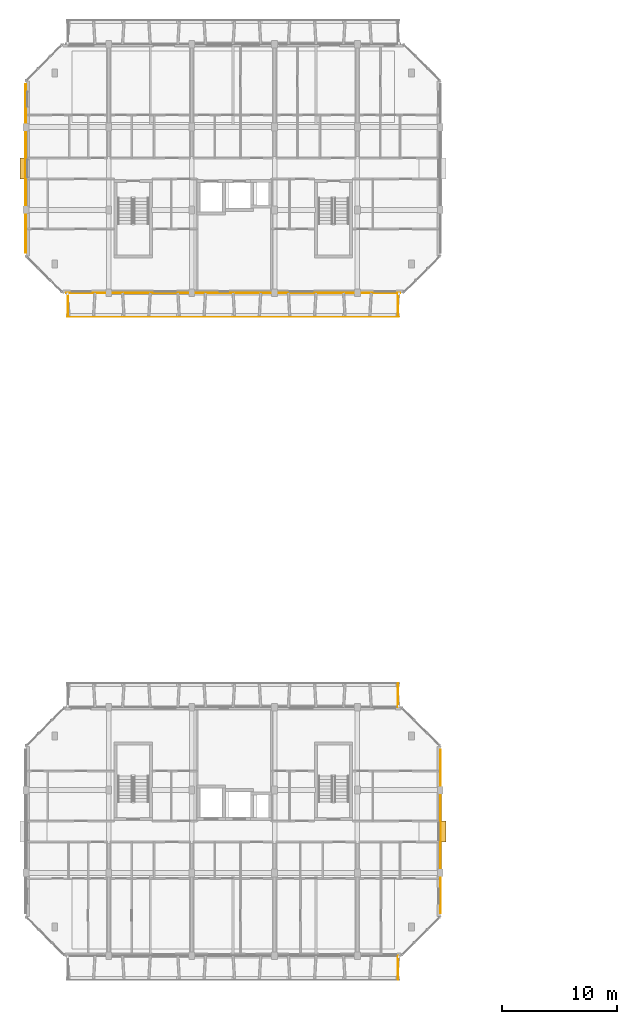
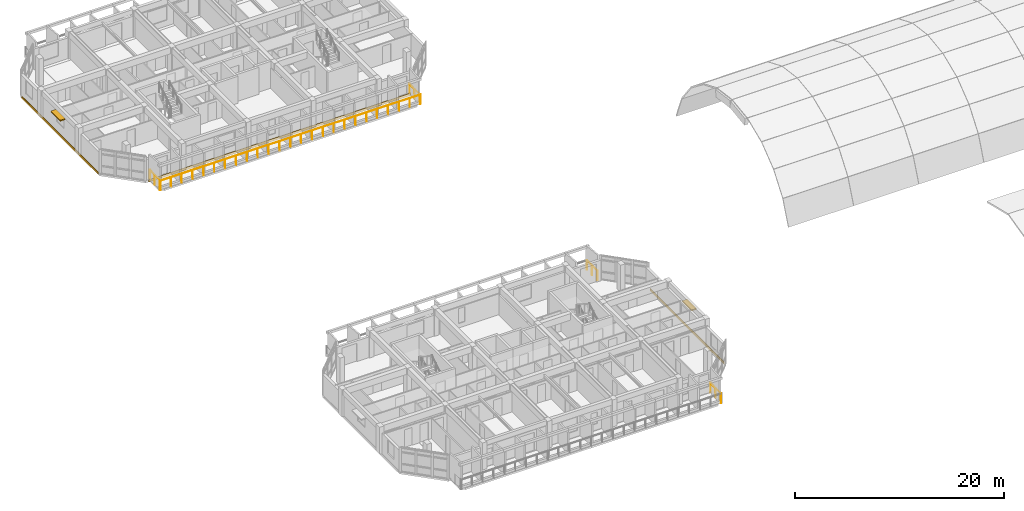
# One storey, part 44 of 51: 5 railings, 3 coverings, 2 shading devices.
"""IFC4 building model written with IfcOpenShell, lengths in metres."""

from ifc_helpers import new_model, si_unit, direction, frame, origin, origin_2d, place, context, subcontext, project, spatial, rectangle, circle, extrude, material, layer, layer_set, type_object, element, save


model = new_model("IFC4")

# Units and contexts
model_context = context("Model", 3, precision=1e-05, world=origin(), true_north=direction((0.0, 1.0)))
body_context = subcontext(model_context, "Body", "Model", "MODEL_VIEW")
ifc_project = project(units=[si_unit("LENGTHUNIT", "METRE"), si_unit("AREAUNIT", "SQUARE_METRE"), si_unit("VOLUMEUNIT", "CUBIC_METRE"), si_unit("PLANEANGLEUNIT", "RADIAN"), si_unit("MASSUNIT", "GRAM", prefix="KILO")], contexts=[model_context])

# Site, building, storey
site_placement = place(None, origin())
site = spatial("IfcSite", under=ifc_project, at=site_placement, CompositionType="ELEMENT")
building_placement = place(site_placement, origin())
building = spatial("IfcBuilding", under=site, at=building_placement, Name="Ochrevale Crest", CompositionType="ELEMENT")
storey_placement = place(building_placement, frame((0.0, 0.0, 11.85009765625)))
storey = spatial("IfcBuildingStorey", under=building, at=storey_placement, Name="L03", CompositionType="ELEMENT", Elevation=11.85009765625)

# Coverings
ifc_material_1 = material(Name="Glazed terracotta rainscreen tile", Category="masonry")
ifc_layer = layer(ifc_material_1, 0.048095703125)
ifc_layer_set = layer_set([ifc_layer], Name="Glazed terracotta rainscreen tile")
covering_type = type_object("IfcCoveringType", Name="COV-CLAD-TER", PredefinedType="CLADDING", material=ifc_layer_set)
covering_1_placement = place(storey_placement, frame((36.014404296875, 25.199951171875, -0.26025390625), z_axis=(0.0, 0.0, 1.0), x_axis=(0.0, 1.0, 0.0)))
element("IfcCovering", 1, at=covering_1_placement, inside=storey, type_object=covering_type, Name="Block A L03 terracotta slab-edge spandrel cladding", PredefinedType="CLADDING", context=body_context, shape_type="SweptSolid", body=[
    extrude(rectangle(XDim=14.199951171875, YDim=0.06005859375, at=origin_2d()), origin(), (0.0, 0.0, 1.0), 0.280029296875),
])
covering_2_placement = place(storey_placement, frame((18.0, 71.987548828125, -0.26025390625), z_axis=(0.0, 0.0, 1.0), x_axis=(1.0, 0.0, 0.0)))
element("IfcCovering", 2, at=covering_2_placement, inside=storey, type_object=covering_type, Name="Block B L03 terracotta slab-edge spandrel cladding", PredefinedType="CLADDING", context=body_context, shape_type="SweptSolid", body=[
    extrude(rectangle(XDim=29.0, YDim=0.06005859375, at=origin_2d()), origin(), (0.0, 0.0, 1.0), 0.280029296875),
])
covering_3_placement = place(storey_placement, frame((-0.014404296875, 82.800048828125, -0.26025390625), z_axis=(0.0, 0.0, 1.0), x_axis=(0.0, -1.0, 0.0)))
element("IfcCovering", 3, at=covering_3_placement, inside=storey, type_object=covering_type, Name="Block B L03 terracotta slab-edge spandrel cladding", PredefinedType="CLADDING", context=body_context, shape_type="SweptSolid", body=[
    extrude(rectangle(XDim=14.60009765625, YDim=0.06005859375, at=origin_2d()), origin(), (0.0, 0.0, 1.0), 0.280029296875),
])

# Railings
ifc_material_2 = material(Name="Galvanised steel", Category="steel")
railing_type = type_object("IfcRailingType", Name="RL-BAL-1100", PredefinedType="BALUSTRADE", material=ifc_material_2)
railing_1_placement = place(storey_placement, frame((32.340087890625, 14.39990234375, 0.0)))
element("IfcRailing", 4, at=railing_1_placement, inside=storey, type_object=railing_type, Name="Block A L03 S-E balcony side guard", PredefinedType="BALUSTRADE", context=body_context, shape_type="SweptSolid", body=[
    extrude(circle(Radius=0.02392578125, at=origin_2d()), frame((0.0, 0.0, 1.0859375), z_axis=(0.0, -1.0, 0.0), x_axis=(1.0, 0.0, 0.0)), (0.0, 0.0, 1.0), 2.039794921875),
    extrude(circle(Radius=0.02099609375, at=origin_2d()), origin(), (0.0, 0.0, 1.0), 1.06201171875),
    extrude(circle(Radius=0.02099609375, at=origin_2d()), frame((0.0, -1.02001953125, 0.0)), (0.0, 0.0, 1.0), 1.06201171875),
    extrude(circle(Radius=0.02099609375, at=origin_2d()), frame((0.0, -2.039794921875, 0.0)), (0.0, 0.0, 1.0), 1.06201171875),
])
railing_2_placement = place(storey_placement, frame((32.340087890625, 36.0, 0.0)))
element("IfcRailing", 5, at=railing_2_placement, inside=storey, type_object=railing_type, Name="Block A L03 N-E balcony side guard", PredefinedType="BALUSTRADE", context=body_context, shape_type="SweptSolid", body=[
    extrude(circle(Radius=0.02392578125, at=origin_2d()), frame((0.0, 0.0, 1.0859375), z_axis=(0.0, 1.0, 0.0), x_axis=(-1.0, 0.0, 0.0)), (0.0, 0.0, 1.0), 2.0400390625),
    extrude(circle(Radius=0.02099609375, at=origin_2d()), origin(), (0.0, 0.0, 1.0), 1.06201171875),
    extrude(circle(Radius=0.02099609375, at=origin_2d()), frame((0.0, 1.02001953125, 0.0)), (0.0, 0.0, 1.0), 1.06201171875),
    extrude(circle(Radius=0.02099609375, at=origin_2d()), frame((0.0, 2.0400390625, 0.0)), (0.0, 0.0, 1.0), 1.06201171875),
])
railing_3_placement = place(storey_placement, frame((3.60009765625, 69.9599609375, 0.0)))
element("IfcRailing", 6, at=railing_3_placement, inside=storey, type_object=railing_type, Name="Block B L03 S balcony front balustrade", PredefinedType="BALUSTRADE", context=body_context, shape_type="SweptSolid", body=[
    extrude(circle(Radius=0.02392578125, at=origin_2d()), frame((0.0, 0.0, 1.0859375), z_axis=(1.0, 0.0, 0.0), x_axis=(0.0, 1.0, 0.0)), (0.0, 0.0, 1.0), 28.7998046875),
    extrude(circle(Radius=0.02099609375, at=origin_2d()), origin(), (0.0, 0.0, 1.0), 1.06201171875),
    extrude(circle(Radius=0.02099609375, at=origin_2d()), frame((1.199951171875, 0.0, 0.0)), (0.0, 0.0, 1.0), 1.06201171875),
    extrude(circle(Radius=0.02099609375, at=origin_2d()), frame((2.39990234375, 0.0, 0.0)), (0.0, 0.0, 1.0), 1.06201171875),
    extrude(circle(Radius=0.02099609375, at=origin_2d()), frame((3.60009765625, 0.0, 0.0)), (0.0, 0.0, 1.0), 1.06201171875),
    extrude(circle(Radius=0.02099609375, at=origin_2d()), frame((4.800048828125, 0.0, 0.0)), (0.0, 0.0, 1.0), 1.06201171875),
    extrude(circle(Radius=0.02099609375, at=origin_2d()), frame((6.0, 0.0, 0.0)), (0.0, 0.0, 1.0), 1.06201171875),
    extrude(circle(Radius=0.02099609375, at=origin_2d()), frame((7.199951171875, 0.0, 0.0)), (0.0, 0.0, 1.0), 1.06201171875),
    extrude(circle(Radius=0.02099609375, at=origin_2d()), frame((8.39990234375, 0.0, 0.0)), (0.0, 0.0, 1.0), 1.06201171875),
    extrude(circle(Radius=0.02099609375, at=origin_2d()), frame((9.599853515625, 0.0, 0.0)), (0.0, 0.0, 1.0), 1.06201171875),
    extrude(circle(Radius=0.02099609375, at=origin_2d()), frame((10.7998046875, 0.0, 0.0)), (0.0, 0.0, 1.0), 1.06201171875),
    extrude(circle(Radius=0.02099609375, at=origin_2d()), frame((12.0, 0.0, 0.0)), (0.0, 0.0, 1.0), 1.06201171875),
    extrude(circle(Radius=0.02099609375, at=origin_2d()), frame((13.199951171875, 0.0, 0.0)), (0.0, 0.0, 1.0), 1.06201171875),
    extrude(circle(Radius=0.02099609375, at=origin_2d()), frame((14.39990234375, 0.0, 0.0)), (0.0, 0.0, 1.0), 1.06201171875),
    extrude(circle(Radius=0.02099609375, at=origin_2d()), frame((15.599853515625, 0.0, 0.0)), (0.0, 0.0, 1.0), 1.06201171875),
    extrude(circle(Radius=0.02099609375, at=origin_2d()), frame((16.7998046875, 0.0, 0.0)), (0.0, 0.0, 1.0), 1.06201171875),
    extrude(circle(Radius=0.02099609375, at=origin_2d()), frame((18.0, 0.0, 0.0)), (0.0, 0.0, 1.0), 1.06201171875),
    extrude(circle(Radius=0.02099609375, at=origin_2d()), frame((19.199951171875, 0.0, 0.0)), (0.0, 0.0, 1.0), 1.06201171875),
    extrude(circle(Radius=0.02099609375, at=origin_2d()), frame((20.39990234375, 0.0, 0.0)), (0.0, 0.0, 1.0), 1.06201171875),
    extrude(circle(Radius=0.02099609375, at=origin_2d()), frame((21.599853515625, 0.0, 0.0)), (0.0, 0.0, 1.0), 1.06201171875),
    extrude(circle(Radius=0.02099609375, at=origin_2d()), frame((22.7998046875, 0.0, 0.0)), (0.0, 0.0, 1.0), 1.06201171875),
    extrude(circle(Radius=0.02099609375, at=origin_2d()), frame((23.999755859375, 0.0, 0.0)), (0.0, 0.0, 1.0), 1.06201171875),
    extrude(circle(Radius=0.02099609375, at=origin_2d()), frame((25.19970703125, 0.0, 0.0)), (0.0, 0.0, 1.0), 1.06201171875),
    extrude(circle(Radius=0.02099609375, at=origin_2d()), frame((26.39990234375, 0.0, 0.0)), (0.0, 0.0, 1.0), 1.06201171875),
    extrude(circle(Radius=0.02099609375, at=origin_2d()), frame((27.599853515625, 0.0, 0.0)), (0.0, 0.0, 1.0), 1.06201171875),
    extrude(circle(Radius=0.02099609375, at=origin_2d()), frame((28.7998046875, 0.0, 0.0)), (0.0, 0.0, 1.0), 1.06201171875),
])
for number, where, name in (
    (7, (3.659912109375, 72.0, 0.0), "Block B L03 S-W balcony side guard"),
    (8, (32.340087890625, 72.0, 0.0), "Block B L03 S-E balcony side guard"),
):
    element("IfcRailing", number, at=place(storey_placement, frame(where)), inside=storey, type_object=railing_type, Name=name, PredefinedType="BALUSTRADE", context=body_context, shape_type="SweptSolid", body=[
        extrude(circle(Radius=0.02392578125, at=origin_2d()), frame((0.0, 0.0, 1.0859375), z_axis=(0.0, -1.0, 0.0), x_axis=(1.0, 0.0, 0.0)), (0.0, 0.0, 1.0), 2.0400390625),
        extrude(circle(Radius=0.02099609375, at=origin_2d()), origin(), (0.0, 0.0, 1.0), 1.06201171875),
        extrude(circle(Radius=0.02099609375, at=origin_2d()), frame((0.0, -1.02001953125, 0.0)), (0.0, 0.0, 1.0), 1.06201171875),
        extrude(circle(Radius=0.02099609375, at=origin_2d()), frame((0.0, -2.0400390625, 0.0)), (0.0, 0.0, 1.0), 1.06201171875),
    ])

# Shading devices
ifc_material_3 = material(Name="Anodised aluminium 6063-T5", Category="aluminium")
shading_device_type = type_object("IfcShadingDeviceType", Name="SHD-SUNSHADE-OC", PredefinedType="USERDEFINED", material=ifc_material_3)
for number, where, z_axis, x_axis, name in (
    (9, (36.239990234375, 25.199951171875, 2.2099609375), (0.0, 0.0, 1.0), (1.0, 0.0, 0.0), "Block A L03 gable window sunshade E"),
    (10, (-0.239990234375, 82.800048828125, 2.2099609375), (0.0, 0.0, 1.0), (1.0, 0.0, 0.0), "Block B L03 gable window sunshade W"),
):
    element("IfcShadingDevice", number, at=place(storey_placement, frame(where, z_axis=z_axis, x_axis=x_axis)), inside=storey, type_object=shading_device_type, Name=name, ObjectType="HORIZONTAL SUNSHADE", PredefinedType="USERDEFINED", context=body_context, shape_type="SweptSolid", body=[
        extrude(rectangle(XDim=0.550048828125, YDim=1.800048828125, at=origin_2d()), origin(), (0.0, 0.0, 1.0), 0.139892578125),
    ])

save(model, "model.ifc")
